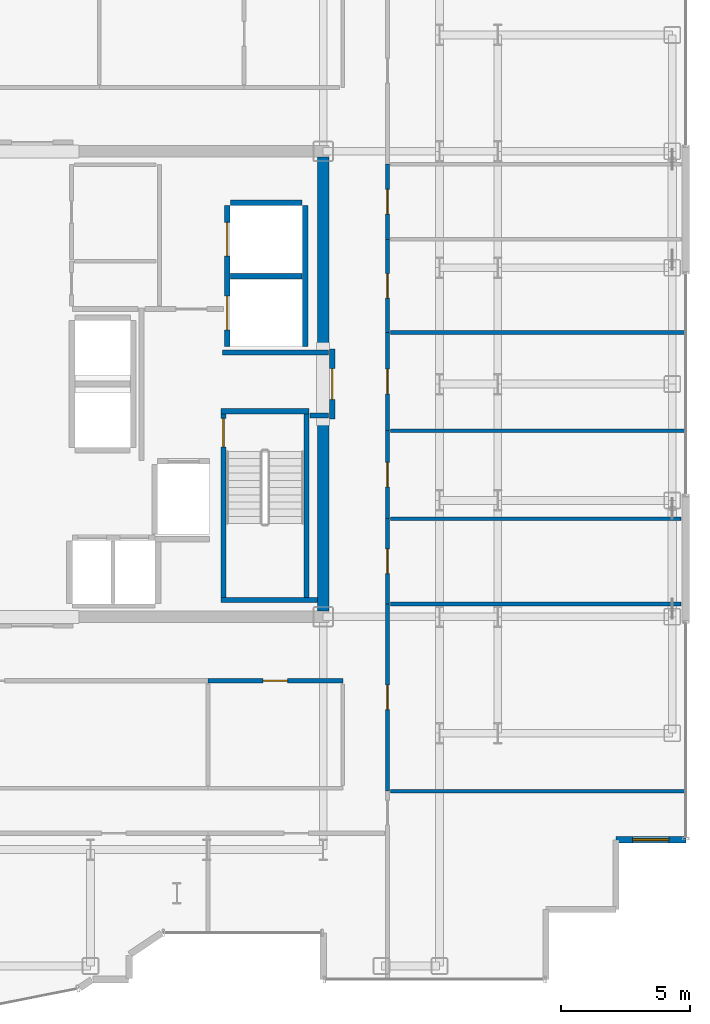
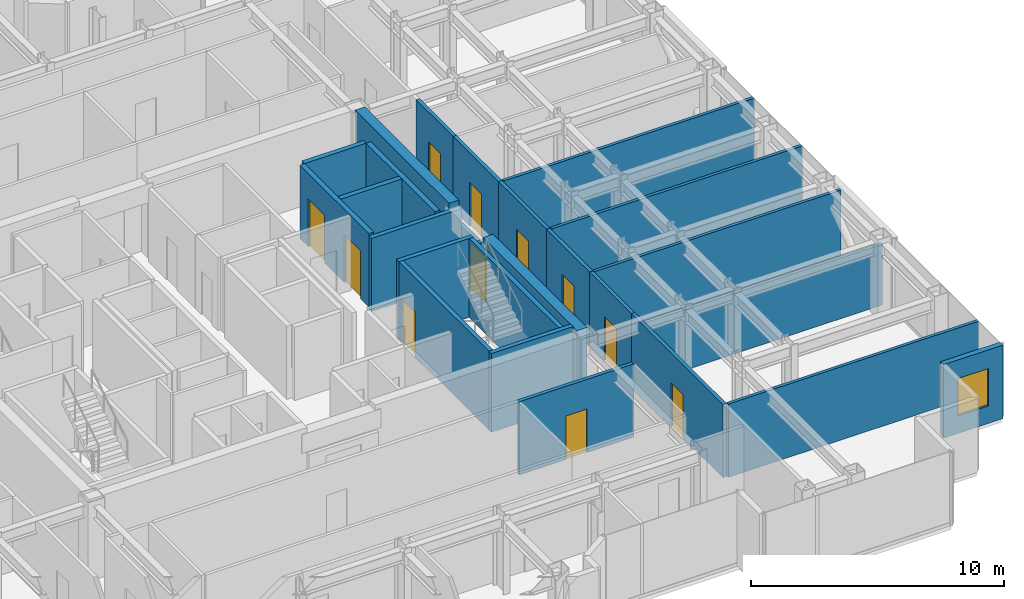
# One storey, part 18 of 21: 26 walls, 11 doors, 1 window, 12 openings.
"""IFC4 building model written with IfcOpenShell, lengths in metres."""

import ifcopenshell
import ifcopenshell.guid

model = None  # the IFC model being written
_history = None  # IfcOwnerHistory: only IFC2X3 demands one
_inside = {}  # id of a spatial element -> (the spatial element, [elements in it])
_under = {}  # id of a project, library or spatial element -> (it, [spatial elements below it])
_declared = {}  # id of a project -> (the project, [libraries it declares])
_typed = {}  # id of a type object -> (the type object, [elements of that type])
_made_of = {}  # id of a material, layer set ... -> (it, [elements and type objects made of it])


def new_model(schema):
    """Start an empty IFC model of exactly this schema.

    Asked for "IFC4X3", IfcOpenShell would pick the latest addendum, in which some entities
    have other attributes; the version numbers below select the first issue.
    IFC2X3 requires an IfcOwnerHistory on every rooted entity: one is made here for all.
    """
    global model, _history
    if schema == "IFC4X3":
        model = ifcopenshell.file(schema_version=(4, 3, 0, 0))
    else:
        model = ifcopenshell.file(schema=schema)
    _inside.clear()
    _under.clear()
    _declared.clear()
    _typed.clear()
    _made_of.clear()
    _history = None
    if model.schema == "IFC2X3":
        org = make("IfcOrganization", Name="unknown")
        user = make(
            "IfcPersonAndOrganization",
            ThePerson=make("IfcPerson", FamilyName="unknown"),
            TheOrganization=org,
        )
        app = make(
            "IfcApplication",
            ApplicationDeveloper=org,
            Version="unknown",
            ApplicationFullName="unknown",
            ApplicationIdentifier="unknown",
        )
        _history = make(
            "IfcOwnerHistory",
            OwningUser=user,
            OwningApplication=app,
            ChangeAction="ADDED",
            CreationDate=0,
        )
    return model


def make(cls, **values):
    """One entity of the class cls with the attributes given. An attribute that is None is left unset."""
    return model.create_entity(
        cls, **{name: value for name, value in values.items() if value is not None}
    )


def rooted(cls, **values):
    """An entity with a GlobalId (a new one), such as an element, a storey or a relation."""
    return make(cls, GlobalId=ifcopenshell.guid.new(), OwnerHistory=_history, **values)


def si_unit(unit_type, name, prefix=None):
    """IfcSIUnit, for example si_unit("LENGTHUNIT", "METRE", prefix="MILLI")."""
    return make("IfcSIUnit", UnitType=unit_type, Prefix=prefix, Name=name)


def assignment(units):
    """IfcUnitAssignment: the units of a project."""
    return None if units is None else make("IfcUnitAssignment", Units=units)


def point(xyz):
    """IfcCartesianPoint."""
    return None if xyz is None else make("IfcCartesianPoint", Coordinates=xyz)


def direction(xyz):
    """IfcDirection."""
    return None if xyz is None else make("IfcDirection", DirectionRatios=xyz)


def frame(location, z_axis=None, x_axis=None):
    """IfcAxis2Placement3D, a coordinate frame: its origin and axes. An axis left out is left unset."""
    return make(
        "IfcAxis2Placement3D",
        Location=point(location),
        Axis=direction(z_axis),
        RefDirection=direction(x_axis),
    )


def frame_2d(location, x_axis=None):
    """IfcAxis2Placement2D, a coordinate frame in the plane: its origin and x axis."""
    return make(
        "IfcAxis2Placement2D", Location=point(location), RefDirection=direction(x_axis)
    )


def origin():
    """The frame at (0, 0, 0) with its axes left unset."""
    return frame((0.0, 0.0, 0.0))


def place(relative_to, where):
    """IfcLocalPlacement: puts the frame where relative to a parent placement (None: the world)."""
    return make(
        "IfcLocalPlacement", PlacementRelTo=relative_to, RelativePlacement=where
    )


def context(
    kind, dimensions, precision=None, world=None, true_north=None, identifier=None
):
    """IfcGeometricRepresentationContext, for example the 3D "Model" context."""
    return make(
        "IfcGeometricRepresentationContext",
        ContextIdentifier=identifier,
        ContextType=kind,
        CoordinateSpaceDimension=dimensions,
        Precision=precision,
        WorldCoordinateSystem=world,
        TrueNorth=true_north,
    )


def subcontext(parent, identifier, kind, view, scale=None):
    """IfcGeometricRepresentationSubContext, for example "Body" below "Model"."""
    return make(
        "IfcGeometricRepresentationSubContext",
        ContextIdentifier=identifier,
        ContextType=kind,
        ParentContext=parent,
        TargetScale=scale,
        TargetView=view,
    )


def project(units=None, contexts=None):
    """IfcProject with its units and contexts."""
    return rooted(
        "IfcProject",
        Name="project",
        RepresentationContexts=contexts,
        UnitsInContext=assignment(units),
    )


def spatial(cls, under=None, at=None, **own):
    """A site, building, storey or space (cls), placed at a placement, below another one or the project."""
    s = rooted(cls, ObjectPlacement=at, **own)
    if under is not None:
        _under.setdefault(under.id(), (under, []))[1].append(s)
    return s


def profile(cls, at=None, kind="AREA", **sizes):
    """A parametric profile (cls). Its sizes go by their IFC names, for example OverallWidth=200.0."""
    return make(cls, ProfileType=kind, Position=at, **sizes)


def rectangle(**sizes):
    """IfcRectangleProfileDef."""
    return profile("IfcRectangleProfileDef", **sizes)


def extrude(swept, where, along, depth):
    """IfcExtrudedAreaSolid: the profile swept, set in the frame where, extruded along a direction by depth."""
    return make(
        "IfcExtrudedAreaSolid",
        SweptArea=swept,
        Position=where,
        ExtrudedDirection=direction(along),
        Depth=depth,
    )


def shape(context_of_items, identifier, shape_type, items):
    """IfcShapeRepresentation: the items that make up one representation, for example the "Body"."""
    return make(
        "IfcShapeRepresentation",
        ContextOfItems=context_of_items,
        RepresentationIdentifier=identifier,
        RepresentationType=shape_type,
        Items=items,
    )


def source(mapping_origin, context_of_items, identifier, shape_type, items):
    """IfcRepresentationMap: a shape defined once, which mapped items show again and again."""
    return make(
        "IfcRepresentationMap",
        MappingOrigin=mapping_origin,
        MappedRepresentation=shape(context_of_items, identifier, shape_type, items),
    )


def transform(
    local_origin,
    x_axis=None,
    y_axis=None,
    z_axis=None,
    scale=None,
    scale2=None,
    scale3=None,
    uniform=True,
):
    """IfcCartesianTransformationOperator3D, or its non-uniform kind. x_axis, y_axis, z_axis: its Axis1, 2, 3."""
    if uniform:
        return make(
            "IfcCartesianTransformationOperator3D",
            Axis1=direction(x_axis),
            Axis2=direction(y_axis),
            LocalOrigin=point(local_origin),
            Scale=scale,
            Axis3=direction(z_axis),
        )
    return make(
        "IfcCartesianTransformationOperator3DnonUniform",
        Axis1=direction(x_axis),
        Axis2=direction(y_axis),
        LocalOrigin=point(local_origin),
        Scale=scale,
        Axis3=direction(z_axis),
        Scale2=scale2,
        Scale3=scale3,
    )


def mapped(mapping_source, mapping_target):
    """IfcMappedItem: shows the shape of a source again, moved by a transform."""
    return make(
        "IfcMappedItem", MappingSource=mapping_source, MappingTarget=mapping_target
    )


def material(Name=None, Category=None):
    """IfcMaterial."""
    return make("IfcMaterial", Name=Name, Category=Category)


def layer(
    of_material, thickness, ventilated=None, Name=None, Category=None, Priority=None
):
    """IfcMaterialLayer: one layer of a wall or slab, of a material (None: an air gap)."""
    return make(
        "IfcMaterialLayer",
        Material=of_material,
        LayerThickness=thickness,
        IsVentilated=ventilated,
        Name=Name,
        Category=Category,
        Priority=Priority,
    )


def layer_set(layers, Name=None):
    """IfcMaterialLayerSet."""
    return make("IfcMaterialLayerSet", MaterialLayers=layers, LayerSetName=Name)


def made_of(thing, what):
    """Note that an element or type object is made of a material, layer set ...; save() writes the relation."""
    if what is not None:
        _made_of.setdefault(what.id(), (what, []))[1].append(thing)
    return thing


def type_object(cls, material=None, **own):
    """A type object (cls), such as IfcWallType, which elements share."""
    return made_of(rooted(cls, **own), material)


def element(
    cls,
    number,
    at=None,
    inside=None,
    cuts=None,
    type_object=None,
    material=None,
    context=None,
    identifier="Body",
    shape_type=None,
    held_by="IfcProductDefinitionShape",
    body=None,
    shapes=None,
    **own,
):
    """One element of the class cls, such as IfcWall. Its Tag is "e" and its number.

    at: its placement. inside: the storey or other place that contains it. cuts: it is an
    opening in that element (IfcRelVoidsElement). A single representation is given by context,
    identifier, shape_type and body (its items); several are given by shapes. held_by: the class
    of the entity that holds the representations. save() writes the other relations.
    """
    e = rooted(cls, Tag="e%d" % number, ObjectPlacement=at, **own)
    if body is not None:
        shapes = [shape(context, identifier, shape_type, body)]
    if shapes is not None:
        e.Representation = make(held_by, Representations=shapes)
    if inside is not None:
        _inside.setdefault(inside.id(), (inside, []))[1].append(e)
    if cuts is not None:
        rooted(
            "IfcRelVoidsElement", RelatingBuildingElement=cuts, RelatedOpeningElement=e
        )
    if type_object is not None:
        _typed.setdefault(type_object.id(), (type_object, []))[1].append(e)
    return made_of(e, material)


def fill(opening, filler):
    """IfcRelFillsElement: the door or window that sits in an opening."""
    return rooted(
        "IfcRelFillsElement",
        RelatingOpeningElement=opening,
        RelatedBuildingElement=filler,
    )


def aggregate(whole, parts):
    """IfcRelAggregates: a whole, such as a stair, and the parts it consists of."""
    return rooted("IfcRelAggregates", RelatingObject=whole, RelatedObjects=parts)


def save(model, path):
    """Write the relations noted so far, then the file.

    IfcRelAggregates (storeys below a building ...), IfcRelContainedInSpatialStructure (elements
    in a storey), IfcRelDefinesByType, IfcRelAssociatesMaterial and IfcRelDeclares: one each for
    every whole, place, type object, material and project.
    """
    for whole, parts in _under.values():
        aggregate(whole, parts)
    for where, things in _inside.values():
        rooted(
            "IfcRelContainedInSpatialStructure",
            RelatedElements=things,
            RelatingStructure=where,
        )
    for kind, things in _typed.values():
        rooted("IfcRelDefinesByType", RelatedObjects=things, RelatingType=kind)
    for what, things in _made_of.values():
        rooted("IfcRelAssociatesMaterial", RelatedObjects=things, RelatingMaterial=what)
    for by, libraries in _declared.values():
        rooted("IfcRelDeclares", RelatingContext=by, RelatedDefinitions=libraries)
    model.write(path)


model = new_model("IFC4")

# Units and contexts
model_context = context("Model", 3, precision=1e-05, world=origin(), true_north=direction((0.0, 1.0)))
body_context = subcontext(model_context, "Body", "Model", "MODEL_VIEW")
ifc_project = project(units=[si_unit("LENGTHUNIT", "METRE"), si_unit("AREAUNIT", "SQUARE_METRE"), si_unit("VOLUMEUNIT", "CUBIC_METRE"), si_unit("PLANEANGLEUNIT", "RADIAN"), si_unit("MASSUNIT", "GRAM", prefix="KILO")], contexts=[model_context])

# Site, building, storey
site_placement = place(None, origin())
site = spatial("IfcSite", under=ifc_project, at=site_placement, CompositionType="ELEMENT")
building_placement = place(site_placement, origin())
building = spatial("IfcBuilding", under=site, at=building_placement, Name="Nefas-Gora Pilgrimage Tower", CompositionType="ELEMENT")
storey_placement = place(building_placement, frame((0.0, 0.0, 252.199951171875)))
storey = spatial("IfcBuildingStorey", under=building, at=storey_placement, Name="L63", CompositionType="ELEMENT", Elevation=252.199951171875)

# Walls
ifc_material_1 = material(Name="Concrete C50/60", Category="concrete")
ifc_layer_1 = layer(ifc_material_1, 0.449951171875)
ifc_layer_set_1 = layer_set([ifc_layer_1], Name="Concrete C50/60")
wall_type_1 = type_object("IfcWallType", Name="SW-CORE-450", PredefinedType="SHEAR", material=ifc_layer_set_1)
shared_shape_1 = source(origin(), body_context, "Body", "SweptSolid", [
    extrude(rectangle(XDim=7.4248046875, YDim=0.449951171875, at=frame_2d((3.71240234375, 0.0))), origin(), (0.0, 0.0, 1.0), 3.800048828125),
])
for number, where, z_axis, x_axis, name in (
    (1, (11.25, -8.77490234375, 0.0), (0.0, 0.0, 1.0), (0.0, 1.0, 0.0), "L63 Core Shear Wall E-South"),
    (2, (11.25, 1.35009765625, 0.0), (0.0, 0.0, 1.0), (0.0, 1.0, 0.0), "L63 Core Shear Wall E-North"),
):
    element("IfcWall", number, at=place(storey_placement, frame(where, z_axis=z_axis, x_axis=x_axis)), inside=storey, type_object=wall_type_1, Name=name, PredefinedType="SHEAR", context=body_context, shape_type="MappedRepresentation", body=[
        mapped(shared_shape_1, transform((0.0, 0.0, 0.0), x_axis=(1.0, 0.0, 0.0), y_axis=(0.0, 1.0, 0.0), z_axis=(0.0, 0.0, 1.0), scale=1.0)),
    ])

# Wall, opening, window
ifc_material_2 = material(Name="Precast concrete C45/55", Category="concrete")
ifc_layer_2 = layer(ifc_material_2, 0.239990234375)
ifc_layer_set_2 = layer_set([ifc_layer_2], Name="Precast concrete C45/55")
wall_type_2 = type_object("IfcWallType", Name="EW-SERR-240", PredefinedType="SHEAR", material=ifc_layer_set_2)
shared_shape_2 = source(origin(), body_context, "Body", "SweptSolid", [
    extrude(rectangle(XDim=2.699951171875, YDim=0.239990234375, at=frame_2d((1.35009765625, 0.0))), origin(), (0.0, 0.0, 1.0), 3.550048828125),
])
wall_1_placement = place(storey_placement, frame((22.570068359375, -17.6201171875, 0.0), z_axis=(0.0, 0.0, 1.0), x_axis=(1.0, 0.0, 0.0)))
wall_1 = element("IfcWall", 3, at=wall_1_placement, inside=storey, type_object=wall_type_2, Name="L63 Serrated Corner Shear Pier Wall 9", PredefinedType="SHEAR", context=body_context, shape_type="MappedRepresentation", body=[
    mapped(shared_shape_2, transform((0.0, 0.0, 0.0), x_axis=(1.0, 0.0, 0.0), y_axis=(0.0, 1.0, 0.0), z_axis=(0.0, 0.0, 1.0), scale=1.0)),
])
opening_1_placement = place(wall_1_placement, frame((0.64990234375, 0.0, 0.85009765625)))
opening_1 = element("IfcOpeningElement", 4, at=opening_1_placement, cuts=wall_1, Name="Opening W-V2", PredefinedType="OPENING", context=body_context, shape_type="SweptSolid", body=[
    extrude(rectangle(XDim=1.39990234375, YDim=1.800048828125, at=frame_2d((0.699951171875, 0.89990234375))), frame((0.0, 0.1298828125, 0.0), z_axis=(0.0, -1.0, 0.0), x_axis=(1.0, 0.0, 0.0)), (0.0, 0.0, 1.0), 0.260009765625),
])
ifc_material_3 = material(Name="Dark ceramic-fritted operable aluminium-glass window", Category="aluminium")
window_type = type_object("IfcWindowType", Name="WIN-VENT-1400x1800", PartitioningType="SINGLE_PANEL", PredefinedType="WINDOW", material=ifc_material_3)
shared_shape_3 = source(origin(), body_context, "Body", "SweptSolid", [
    extrude(rectangle(XDim=1.39990234375, YDim=1.800048828125, at=frame_2d((0.699951171875, 0.89990234375))), frame((0.0, 0.030029296875, 0.0), z_axis=(0.0, -1.0, 0.0), x_axis=(1.0, 0.0, 0.0)), (0.0, 0.0, 1.0), 0.06005859375),
])
window_placement = place(opening_1_placement, origin())
window = element("IfcWindow", 5, at=window_placement, inside=storey, type_object=window_type, Name="L63 Operable Parallel-Outswing Window 9", OverallHeight=1.800048828125, OverallWidth=1.39990234375, PartitioningType="SINGLE_PANEL", PredefinedType="WINDOW", context=body_context, shape_type="MappedRepresentation", body=[
    mapped(shared_shape_3, transform((0.0, 0.0, 0.0), x_axis=(1.0, 0.0, 0.0), y_axis=(0.0, 1.0, 0.0), z_axis=(0.0, 0.0, 1.0), scale=1.0)),
])
fill(opening_1, window)

# Wall
ifc_material_4 = material(Name="Concrete C45/55", Category="concrete")
ifc_layer_3 = layer(ifc_material_4, 0.199951171875)
ifc_layer_set_3 = layer_set([ifc_layer_3], Name="Concrete C45/55")
wall_type_3 = type_object("IfcWallType", Name="IW-STAIR-200", PredefinedType="SOLIDWALL", material=ifc_layer_set_3)
shared_shape_4 = source(origin(), body_context, "Body", "SweptSolid", [
    extrude(rectangle(XDim=3.39990234375, YDim=0.199951171875, at=frame_2d((1.699951171875, 0.0))), origin(), (0.0, 0.0, 1.0), 3.800048828125),
])
wall_2_placement = place(storey_placement, frame((7.300048828125, -1.050048828125, 0.0), z_axis=(0.0, 0.0, 1.0), x_axis=(1.0, 0.0, 0.0)))
element("IfcWall", 6, at=wall_2_placement, inside=storey, type_object=wall_type_3, Name="L63 Stairwell Shear Wall ST-02-near", PredefinedType="SOLIDWALL", context=body_context, shape_type="MappedRepresentation", body=[
    mapped(shared_shape_4, transform((0.0, 0.0, 0.0), x_axis=(1.0, 0.0, 0.0), y_axis=(0.0, 1.0, 0.0), z_axis=(0.0, 0.0, 1.0), scale=1.0)),
])

# Wall, opening, door
shared_shape_5 = source(origin(), body_context, "Body", "SweptSolid", [
    extrude(rectangle(XDim=7.10009765625, YDim=0.199951171875, at=frame_2d((3.550048828125, 0.0))), origin(), (0.0, 0.0, 1.0), 3.800048828125),
])
wall_3_placement = place(storey_placement, frame((7.39990234375, -1.14990234375, 0.0), z_axis=(0.0, 0.0, 1.0), x_axis=(0.0, -1.0, 0.0)))
wall_3 = element("IfcWall", 7, at=wall_3_placement, inside=storey, type_object=wall_type_3, Name="L63 Stairwell Shear Wall ST-02-left", PredefinedType="SOLIDWALL", context=body_context, shape_type="MappedRepresentation", body=[
    mapped(shared_shape_5, transform((0.0, 0.0, 0.0), x_axis=(1.0, 0.0, 0.0), y_axis=(0.0, 1.0, 0.0), z_axis=(0.0, 0.0, 1.0), scale=1.0)),
])
opening_2_placement = place(wall_3_placement, frame((0.179931640625, 0.0, 0.0)))
opening_2 = element("IfcOpeningElement", 8, at=opening_2_placement, cuts=wall_3, Name="Opening ID-ST1", PredefinedType="OPENING", context=body_context, shape_type="SweptSolid", body=[
    extrude(rectangle(XDim=1.10009765625, YDim=2.14990234375, at=frame_2d((0.550048828125, 1.074951171875))), frame((0.0, 0.10986328125, 0.0), z_axis=(0.0, -1.0, 0.0), x_axis=(1.0, 0.0, 0.0)), (0.0, 0.0, 1.0), 0.219970703125),
])
ifc_material_5 = material(Name="Painted galvanised steel fire stair door", Category="steel")
door_type_1 = type_object("IfcDoorType", Name="DR-INT-STAIR-1100", OperationType="NOTDEFINED", PredefinedType="DOOR", material=ifc_material_5)
shared_shape_6 = source(origin(), body_context, "Body", "SweptSolid", [
    extrude(rectangle(XDim=1.10009765625, YDim=2.14990234375, at=frame_2d((0.550048828125, 1.074951171875))), frame((0.0, 0.02490234375, 0.0), z_axis=(0.0, -1.0, 0.0), x_axis=(1.0, 0.0, 0.0)), (0.0, 0.0, 1.0), 0.050048828125),
])
door_1_placement = place(opening_2_placement, origin())
door_1 = element("IfcDoor", 9, at=door_1_placement, inside=storey, type_object=door_type_1, Name="L63 Protected Exit Stair Door ST-02", OperationType="SINGLE_SWING_RIGHT", OverallHeight=2.14990234375, OverallWidth=1.10009765625, PredefinedType="DOOR", context=body_context, shape_type="MappedRepresentation", body=[
    mapped(shared_shape_6, transform((0.0, 0.0, 0.0), x_axis=(1.0, 0.0, 0.0), y_axis=(0.0, 1.0, 0.0), z_axis=(0.0, 0.0, 1.0), scale=1.0)),
])
fill(opening_2, door_1)

# Walls
wall_4_placement = place(storey_placement, frame((10.60009765625, -1.14990234375, 0.0), z_axis=(0.0, 0.0, 1.0), x_axis=(0.0, -1.0, 0.0)))
element("IfcWall", 10, at=wall_4_placement, inside=storey, type_object=wall_type_3, Name="L63 Stairwell Shear Wall ST-02-right", PredefinedType="SOLIDWALL", context=body_context, shape_type="MappedRepresentation", body=[
    mapped(shared_shape_5, transform((0.0, 0.0, 0.0), x_axis=(1.0, 0.0, 0.0), y_axis=(0.0, 1.0, 0.0), z_axis=(0.0, 0.0, 1.0), scale=1.0)),
])
shared_shape_7 = source(origin(), body_context, "Body", "SweptSolid", [
    extrude(rectangle(XDim=3.72998046875, YDim=0.199951171875, at=frame_2d((1.864990234375, 0.0))), origin(), (0.0, 0.0, 1.0), 3.800048828125),
])
wall_5_placement = place(storey_placement, frame((7.300048828125, -8.35009765625, 0.0), z_axis=(0.0, 0.0, 1.0), x_axis=(1.0, 0.0, 0.0)))
element("IfcWall", 11, at=wall_5_placement, inside=storey, type_object=wall_type_3, Name="L63 Stairwell Shear Wall ST-02-far", PredefinedType="SOLIDWALL", context=body_context, shape_type="MappedRepresentation", body=[
    mapped(shared_shape_7, transform((0.0, 0.0, 0.0), x_axis=(1.0, 0.0, 0.0), y_axis=(0.0, 1.0, 0.0), z_axis=(0.0, 0.0, 1.0), scale=1.0)),
])

# Wall, openings, doors
ifc_material_6 = material(Name="Concrete C40/50", Category="concrete")
ifc_layer_4 = layer(ifc_material_6, 0.219970703125)
ifc_layer_set_4 = layer_set([ifc_layer_4], Name="Concrete C40/50")
wall_type_4 = type_object("IfcWallType", Name="IW-SHAFT-220", PredefinedType="SOLIDWALL", material=ifc_layer_set_4)
shared_shape_8 = source(origin(), body_context, "Body", "SweptSolid", [
    extrude(rectangle(XDim=5.449951171875, YDim=0.219970703125, at=frame_2d((2.72509765625, 0.0))), origin(), (0.0, 0.0, 1.0), 3.53515625),
])
wall_6_placement = place(storey_placement, frame((7.5400390625, 6.89990234375, 0.0), z_axis=(0.0, 0.0, 1.0), x_axis=(0.0, -1.0, 0.0)))
wall_6 = element("IfcWall", 12, at=wall_6_placement, inside=storey, type_object=wall_type_4, Name="L63 Hoistway Wall SL-01-02-W", PredefinedType="SOLIDWALL", context=body_context, shape_type="MappedRepresentation", body=[
    mapped(shared_shape_8, transform((0.0, 0.0, 0.0), x_axis=(1.0, 0.0, 0.0), y_axis=(0.0, 1.0, 0.0), z_axis=(0.0, 0.0, 1.0), scale=1.0)),
])
opening_3_placement = place(wall_6_placement, frame((3.5, 0.0, 0.0)))
opening_3 = element("IfcOpeningElement", 13, at=opening_3_placement, cuts=wall_6, Name="Opening LD-SV", PredefinedType="OPENING", context=body_context, shape_type="SweptSolid", body=[
    extrude(rectangle(XDim=1.300048828125, YDim=2.300048828125, at=frame_2d((0.64990234375, 1.14990234375))), frame((0.0, 0.119873046875, 0.0), z_axis=(0.0, -1.0, 0.0), x_axis=(1.0, 0.0, 0.0)), (0.0, 0.0, 1.0), 0.239990234375),
])
opening_4_placement = place(wall_6_placement, frame((0.64990234375, 0.0, 0.0)))
opening_4 = element("IfcOpeningElement", 14, at=opening_4_placement, cuts=wall_6, Name="Opening LD-SV", PredefinedType="OPENING", context=body_context, shape_type="SweptSolid", body=[
    extrude(rectangle(XDim=1.300048828125, YDim=2.300048828125, at=frame_2d((0.64990234375, 1.14990234375))), frame((0.0, 0.119873046875, 0.0), z_axis=(0.0, -1.0, 0.0), x_axis=(1.0, 0.0, 0.0)), (0.0, 0.0, 1.0), 0.239990234375),
])
ifc_material_7 = material(Name="Heavy goods sliding lift landing door")
door_type_2 = type_object("IfcDoorType", Name="DR-LIFT-SERV-1300", OperationType="SLIDING_TO_RIGHT", PredefinedType="DOOR", material=ifc_material_7)
shared_shape_9 = source(origin(), body_context, "Body", "SweptSolid", [
    extrude(rectangle(XDim=1.300048828125, YDim=2.300048828125, at=frame_2d((0.64990234375, 1.14990234375))), frame((0.0, 0.02490234375, 0.0), z_axis=(0.0, -1.0, 0.0), x_axis=(1.0, 0.0, 0.0)), (0.0, 0.0, 1.0), 0.050048828125),
])
door_2_placement = place(opening_3_placement, origin())
door_2 = element("IfcDoor", 15, at=door_2_placement, inside=storey, type_object=door_type_2, Name="L63 Sliding Lift Landing Door SL-01", OperationType="SLIDING_TO_RIGHT", OverallHeight=2.300048828125, OverallWidth=1.300048828125, PredefinedType="DOOR", context=body_context, shape_type="MappedRepresentation", body=[
    mapped(shared_shape_9, transform((0.0, 0.0, 0.0), x_axis=(1.0, 0.0, 0.0), y_axis=(0.0, 1.0, 0.0), z_axis=(0.0, 0.0, 1.0), scale=1.0)),
])
fill(opening_3, door_2)
door_3_placement = place(opening_4_placement, origin())
door_3 = element("IfcDoor", 16, at=door_3_placement, inside=storey, type_object=door_type_2, Name="L63 Sliding Lift Landing Door SL-02", OperationType="SLIDING_TO_RIGHT", OverallHeight=2.300048828125, OverallWidth=1.300048828125, PredefinedType="DOOR", context=body_context, shape_type="MappedRepresentation", body=[
    mapped(shared_shape_9, transform((0.0, 0.0, 0.0), x_axis=(1.0, 0.0, 0.0), y_axis=(0.0, 1.0, 0.0), z_axis=(0.0, 0.0, 1.0), scale=1.0)),
])
fill(opening_4, door_3)

# Walls
wall_7_placement = place(storey_placement, frame((10.56005859375, 1.449951171875, 0.0), z_axis=(0.0, 0.0, 1.0), x_axis=(0.0, 1.0, 0.0)))
element("IfcWall", 17, at=wall_7_placement, inside=storey, type_object=wall_type_4, Name="L63 Hoistway Wall SL-01-02-E", PredefinedType="SOLIDWALL", context=body_context, shape_type="MappedRepresentation", body=[
    mapped(shared_shape_8, transform((0.0, 0.0, 0.0), x_axis=(1.0, 0.0, 0.0), y_axis=(0.0, 1.0, 0.0), z_axis=(0.0, 0.0, 1.0), scale=1.0)),
])
shared_shape_10 = source(origin(), body_context, "Body", "SweptSolid", [
    extrude(rectangle(XDim=2.780029296875, YDim=0.219970703125, at=frame_2d((1.39013671875, 0.0))), origin(), (0.0, 0.0, 1.0), 3.53515625),
])
for number, where, z_axis, x_axis, name in (
    (18, (7.659912109375, 4.175048828125, 0.0), (0.0, 0.0, 1.0), (1.0, 0.0, 0.0), "L63 Hoistway Wall SL-01-02-DIV"),
    (19, (10.43994140625, 7.010009765625, 0.0), (0.0, 0.0, 1.0), (-1.0, 0.0, 0.0), "L63 Hoistway Wall SL-02-N"),
):
    element("IfcWall", number, at=place(storey_placement, frame(where, z_axis=z_axis, x_axis=x_axis)), inside=storey, type_object=wall_type_4, Name=name, PredefinedType="SOLIDWALL", context=body_context, shape_type="MappedRepresentation", body=[
        mapped(shared_shape_10, transform((0.0, 0.0, 0.0), x_axis=(1.0, 0.0, 0.0), y_axis=(0.0, 1.0, 0.0), z_axis=(0.0, 0.0, 1.0), scale=1.0)),
    ])
ifc_material_8 = material(Name="Gypsum fire-rated shaftwall")
ifc_layer_5 = layer(ifc_material_8, 0.199951171875)
ifc_layer_set_5 = layer_set([ifc_layer_5], Name="Gypsum fire-rated shaftwall")
wall_type_5 = type_object("IfcWallType", Name="IW-FFLOB-200", PredefinedType="PARTITIONING", material=ifc_layer_set_5)
shared_shape_11 = source(origin(), body_context, "Body", "SweptSolid", [
    extrude(rectangle(XDim=0.719970703125, YDim=0.199951171875, at=frame_2d((0.35986328125, 0.0))), origin(), (0.0, 0.0, 1.0), 3.53515625),
])
wall_8_placement = place(storey_placement, frame((10.739990234375, -1.219970703125, 0.0), z_axis=(0.0, 0.0, 1.0), x_axis=(1.0, 0.0, 0.0)))
element("IfcWall", 20, at=wall_8_placement, inside=storey, type_object=wall_type_5, Name="L63 FF Lobby East Throat S Wall 14", PredefinedType="PARTITIONING", context=body_context, shape_type="MappedRepresentation", body=[
    mapped(shared_shape_11, transform((0.0, 0.0, 0.0), x_axis=(1.0, 0.0, 0.0), y_axis=(0.0, 1.0, 0.0), z_axis=(0.0, 0.0, 1.0), scale=1.0)),
])
shared_shape_12 = source(origin(), body_context, "Body", "SweptSolid", [
    extrude(rectangle(XDim=4.10986328125, YDim=0.199951171875, at=frame_2d((2.054931640625, 0.0))), origin(), (0.0, 0.0, 1.0), 3.53515625),
])
wall_9_placement = place(storey_placement, frame((7.35009765625, 1.219970703125, 0.0), z_axis=(0.0, 0.0, 1.0), x_axis=(1.0, 0.0, 0.0)))
element("IfcWall", 21, at=wall_9_placement, inside=storey, type_object=wall_type_5, Name="L63 FF Lobby East Throat N Wall 13", PredefinedType="PARTITIONING", context=body_context, shape_type="MappedRepresentation", body=[
    mapped(shared_shape_12, transform((0.0, 0.0, 0.0), x_axis=(1.0, 0.0, 0.0), y_axis=(0.0, 1.0, 0.0), z_axis=(0.0, 0.0, 1.0), scale=1.0)),
])

# Wall, opening, door
ifc_material_9 = material(Name="Gypsum acoustic stud partition")
ifc_layer_6 = layer(ifc_material_9, 0.159912109375)
ifc_layer_set_6 = layer_set([ifc_layer_6], Name="Gypsum acoustic stud partition")
wall_type_6 = type_object("IfcWallType", Name="IW-CORR-160", PredefinedType="PARTITIONING", material=ifc_layer_set_6)
shared_shape_13 = source(origin(), body_context, "Body", "SweptSolid", [
    extrude(rectangle(XDim=3.309814453125, YDim=0.159912109375, at=frame_2d((1.65478515625, 0.0))), origin(), (0.0, 0.0, 1.0), 3.53515625),
])
wall_10_placement = place(storey_placement, frame((13.739990234375, -8.5048828125, 0.0), z_axis=(0.0, 0.0, 1.0), x_axis=(0.0, 1.0, 0.0)))
wall_10 = element("IfcWall", 22, at=wall_10_placement, inside=storey, type_object=wall_type_6, Name="L63 Pastoral Chaplains Counselling Office Partition Wall 45", PredefinedType="PARTITIONING", context=body_context, shape_type="MappedRepresentation", body=[
    mapped(shared_shape_13, transform((0.0, 0.0, 0.0), x_axis=(1.0, 0.0, 0.0), y_axis=(0.0, 1.0, 0.0), z_axis=(0.0, 0.0, 1.0), scale=1.0)),
])
opening_5_placement = place(wall_10_placement, frame((1.179931640625, 0.0, 0.0)))
opening_5 = element("IfcOpeningElement", 23, at=opening_5_placement, cuts=wall_10, Name="Opening ID-GR1", PredefinedType="OPENING", context=body_context, shape_type="SweptSolid", body=[
    extrude(rectangle(XDim=0.949951171875, YDim=2.10009765625, at=frame_2d((0.47509765625, 1.050048828125))), frame((0.0, 0.08984375, 0.0), z_axis=(0.0, -1.0, 0.0), x_axis=(1.0, 0.0, 0.0)), (0.0, 0.0, 1.0), 0.179931640625),
])
ifc_material_10 = material(Name="Solid core oak fire-rated guest entrance door")
door_type_3 = type_object("IfcDoorType", Name="DR-INT-GUEST-950", OperationType="NOTDEFINED", PredefinedType="DOOR", material=ifc_material_10)
shared_shape_14 = source(origin(), body_context, "Body", "SweptSolid", [
    extrude(rectangle(XDim=0.949951171875, YDim=2.10009765625, at=frame_2d((0.47509765625, 1.050048828125))), frame((0.0, 0.02490234375, 0.0), z_axis=(0.0, -1.0, 0.0), x_axis=(1.0, 0.0, 0.0)), (0.0, 0.0, 1.0), 0.050048828125),
])
door_4_placement = place(opening_5_placement, origin())
door_4 = element("IfcDoor", 24, at=door_4_placement, inside=storey, type_object=door_type_3, Name="L63 Pastoral Chaplains Counselling Office Door 20", OperationType="SINGLE_SWING_RIGHT", OverallHeight=2.10009765625, OverallWidth=0.949951171875, PredefinedType="DOOR", context=body_context, shape_type="MappedRepresentation", body=[
    mapped(shared_shape_14, transform((0.0, 0.0, 0.0), x_axis=(1.0, 0.0, 0.0), y_axis=(0.0, 1.0, 0.0), z_axis=(0.0, 0.0, 1.0), scale=1.0)),
])
fill(opening_5, door_4)

shared_shape_15 = source(origin(), body_context, "Body", "SweptSolid", [
    extrude(rectangle(XDim=3.41015625, YDim=0.159912109375, at=frame_2d((1.705078125, 0.0))), origin(), (0.0, 0.0, 1.0), 3.53515625),
])
wall_11_placement = place(storey_placement, frame((13.739990234375, -5.205078125, 0.0), z_axis=(0.0, 0.0, 1.0), x_axis=(0.0, 1.0, 0.0)))
wall_11 = element("IfcWall", 25, at=wall_11_placement, inside=storey, type_object=wall_type_6, Name="L63 Pilgrim Fellowship Seminar Room Partition Wall 47", PredefinedType="PARTITIONING", context=body_context, shape_type="MappedRepresentation", body=[
    mapped(shared_shape_15, transform((0.0, 0.0, 0.0), x_axis=(1.0, 0.0, 0.0), y_axis=(0.0, 1.0, 0.0), z_axis=(0.0, 0.0, 1.0), scale=1.0)),
])
opening_6_placement = place(wall_11_placement, frame((1.22998046875, 0.0, 0.0)))
opening_6 = element("IfcOpeningElement", 26, at=opening_6_placement, cuts=wall_11, Name="Opening ID-GR1", PredefinedType="OPENING", context=body_context, shape_type="SweptSolid", body=[
    extrude(rectangle(XDim=0.949951171875, YDim=2.10009765625, at=frame_2d((0.47509765625, 1.050048828125))), frame((0.0, 0.08984375, 0.0), z_axis=(0.0, -1.0, 0.0), x_axis=(1.0, 0.0, 0.0)), (0.0, 0.0, 1.0), 0.179931640625),
])
door_5_placement = place(opening_6_placement, origin())
door_5 = element("IfcDoor", 27, at=door_5_placement, inside=storey, type_object=door_type_3, Name="L63 Pilgrim Fellowship Seminar Room Door 21", OperationType="SINGLE_SWING_LEFT", OverallHeight=2.10009765625, OverallWidth=0.949951171875, PredefinedType="DOOR", context=body_context, shape_type="MappedRepresentation", body=[
    mapped(shared_shape_14, transform((0.0, 0.0, 0.0), x_axis=(1.0, 0.0, 0.0), y_axis=(0.0, 1.0, 0.0), z_axis=(0.0, 0.0, 1.0), scale=1.0)),
])
fill(opening_6, door_5)

# Walls
ifc_material_11 = material(Name="Gypsum twin-stud partition")
ifc_layer_7 = layer(ifc_material_11, 0.139892578125)
ifc_layer_set_7 = layer_set([ifc_layer_7], Name="Gypsum twin-stud partition")
wall_type_7 = type_object("IfcWallType", Name="IW-UNIT-140", PredefinedType="PARTITIONING", material=ifc_layer_set_7)
shared_shape_16 = source(origin(), body_context, "Body", "SweptSolid", [
    extrude(rectangle(XDim=11.429931640625, YDim=0.139892578125, at=frame_2d((5.71484375, 0.0))), origin(), (0.0, 0.0, 1.0), 3.53515625),
])
for number, where, z_axis, x_axis, name in (
    (28, (13.860107421875, -15.74755859375, 0.0), (0.0, 0.0, 1.0), (1.0, 0.0, 0.0), "L63 Pilgrim Tea and Beverage Pantry Partition Wall 42"),
    (29, (13.860107421875, -1.804931640625, 0.0), (0.0, 0.0, 1.0), (1.0, 0.0, 0.0), "L63 Pilgrim Fellowship Seminar Room Partition Wall 48"),
    (30, (13.860107421875, 1.9951171875, 0.0), (0.0, 0.0, 1.0), (1.0, 0.0, 0.0), "L63 Pilgrim Contemplative Lounge Partition Wall 50"),
):
    element("IfcWall", number, at=place(storey_placement, frame(where, z_axis=z_axis, x_axis=x_axis)), inside=storey, type_object=wall_type_7, Name=name, PredefinedType="PARTITIONING", context=body_context, shape_type="MappedRepresentation", body=[
        mapped(shared_shape_16, transform((0.0, 0.0, 0.0), x_axis=(1.0, 0.0, 0.0), y_axis=(0.0, 1.0, 0.0), z_axis=(0.0, 0.0, 1.0), scale=1.0)),
    ])

# Wall, opening, door
shared_shape_17 = source(origin(), body_context, "Body", "SweptSolid", [
    extrude(rectangle(XDim=7.242431640625, YDim=0.159912109375, at=frame_2d((3.62109375, 0.0))), origin(), (0.0, 0.0, 1.0), 3.53515625),
])
wall_12_placement = place(storey_placement, frame((13.739990234375, -15.737548828125, 0.0), z_axis=(0.0, 0.0, 1.0), x_axis=(0.0, 1.0, 0.0)))
wall_12 = element("IfcWall", 31, at=wall_12_placement, inside=storey, type_object=wall_type_6, Name="L63 Pilgrim Tea and Beverage Pantry Partition Wall 43", PredefinedType="PARTITIONING", context=body_context, shape_type="MappedRepresentation", body=[
    mapped(shared_shape_17, transform((0.0, 0.0, 0.0), x_axis=(1.0, 0.0, 0.0), y_axis=(0.0, 1.0, 0.0), z_axis=(0.0, 0.0, 1.0), scale=1.0)),
])
opening_7_placement = place(wall_12_placement, frame((3.146240234375, 0.0, 0.0)))
opening_7 = element("IfcOpeningElement", 32, at=opening_7_placement, cuts=wall_12, Name="Opening ID-GR1", PredefinedType="OPENING", context=body_context, shape_type="SweptSolid", body=[
    extrude(rectangle(XDim=0.949951171875, YDim=2.10009765625, at=frame_2d((0.47509765625, 1.050048828125))), frame((0.0, 0.08984375, 0.0), z_axis=(0.0, -1.0, 0.0), x_axis=(1.0, 0.0, 0.0)), (0.0, 0.0, 1.0), 0.179931640625),
])
door_6_placement = place(opening_7_placement, origin())
door_6 = element("IfcDoor", 33, at=door_6_placement, inside=storey, type_object=door_type_3, Name="L63 Pilgrim Tea and Beverage Pantry Door 19", OperationType="SINGLE_SWING_LEFT", OverallHeight=2.10009765625, OverallWidth=0.949951171875, PredefinedType="DOOR", context=body_context, shape_type="MappedRepresentation", body=[
    mapped(shared_shape_14, transform((0.0, 0.0, 0.0), x_axis=(1.0, 0.0, 0.0), y_axis=(0.0, 1.0, 0.0), z_axis=(0.0, 0.0, 1.0), scale=1.0)),
])
fill(opening_7, door_6)

# Wall
shared_shape_18 = source(origin(), body_context, "Body", "SweptSolid", [
    extrude(rectangle(XDim=11.219970703125, YDim=0.139892578125, at=frame_2d((5.60986328125, 0.0))), origin(), (0.0, 0.0, 1.0), 3.53515625),
])
wall_13_placement = place(storey_placement, frame((13.860107421875, -5.205078125, 0.0), z_axis=(0.0, 0.0, 1.0), x_axis=(1.0, 0.0, 0.0)))
element("IfcWall", 34, at=wall_13_placement, inside=storey, type_object=wall_type_7, Name="L63 Pastoral Chaplains Counselling Office Partition Wall 46", PredefinedType="PARTITIONING", context=body_context, shape_type="MappedRepresentation", body=[
    mapped(shared_shape_18, transform((0.0, 0.0, 0.0), x_axis=(1.0, 0.0, 0.0), y_axis=(0.0, 1.0, 0.0), z_axis=(0.0, 0.0, 1.0), scale=1.0)),
])

# Wall, opening, door
shared_shape_19 = source(origin(), body_context, "Body", "SweptSolid", [
    extrude(rectangle(XDim=5.215087890625, YDim=0.159912109375, at=frame_2d((2.607421875, 0.0))), origin(), (0.0, 0.0, 1.0), 3.53515625),
])
wall_14_placement = place(storey_placement, frame((6.794921875, -11.469970703125, 0.0), z_axis=(0.0, 0.0, 1.0), x_axis=(1.0, 0.0, 0.0)))
wall_14 = element("IfcWall", 35, at=wall_14_placement, inside=storey, type_object=wall_type_6, Name="L63 Pilgrim Contemplative Lounge Partition Wall 93", PredefinedType="PARTITIONING", context=body_context, shape_type="MappedRepresentation", body=[
    mapped(shared_shape_19, transform((0.0, 0.0, 0.0), x_axis=(1.0, 0.0, 0.0), y_axis=(0.0, 1.0, 0.0), z_axis=(0.0, 0.0, 1.0), scale=1.0)),
])
opening_8_placement = place(wall_14_placement, frame((2.132568359375, 0.0, 0.0)))
opening_8 = element("IfcOpeningElement", 36, at=opening_8_placement, cuts=wall_14, Name="Opening ID-GR1", PredefinedType="OPENING", context=body_context, shape_type="SweptSolid", body=[
    extrude(rectangle(XDim=0.949951171875, YDim=2.10009765625, at=frame_2d((0.47509765625, 1.050048828125))), frame((0.0, 0.08984375, 0.0), z_axis=(0.0, -1.0, 0.0), x_axis=(1.0, 0.0, 0.0)), (0.0, 0.0, 1.0), 0.179931640625),
])
door_7_placement = place(opening_8_placement, origin())
door_7 = element("IfcDoor", 37, at=door_7_placement, inside=storey, type_object=door_type_3, Name="L63 Pilgrim Contemplative Lounge Door 42", OperationType="SINGLE_SWING_RIGHT", OverallHeight=2.10009765625, OverallWidth=0.949951171875, PredefinedType="DOOR", context=body_context, shape_type="MappedRepresentation", body=[
    mapped(shared_shape_14, transform((0.0, 0.0, 0.0), x_axis=(1.0, 0.0, 0.0), y_axis=(0.0, 1.0, 0.0), z_axis=(0.0, 0.0, 1.0), scale=1.0)),
])
fill(opening_8, door_7)

shared_shape_20 = source(origin(), body_context, "Body", "SweptSolid", [
    extrude(rectangle(XDim=2.7001953125, YDim=0.199951171875, at=frame_2d((1.35009765625, 0.0))), origin(), (0.0, 0.0, 1.0), 2.625),
])
wall_15_placement = place(storey_placement, frame((11.60009765625, -1.35009765625, 0.0), z_axis=(0.0, 0.0, 1.0), x_axis=(0.0, 1.0, 0.0)))
wall_15 = element("IfcWall", 38, at=wall_15_placement, inside=storey, type_object=wall_type_5, Name="L63 FF Lobby East Portal Wall 9", PredefinedType="PARTITIONING", context=body_context, shape_type="MappedRepresentation", body=[
    mapped(shared_shape_20, transform((0.0, 0.0, 0.0), x_axis=(1.0, 0.0, 0.0), y_axis=(0.0, 1.0, 0.0), z_axis=(0.0, 0.0, 1.0), scale=1.0)),
])
opening_9_placement = place(wall_15_placement, frame((0.75, 0.0, 0.0)))
opening_9 = element("IfcOpeningElement", 39, at=opening_9_placement, cuts=wall_15, Name="Opening ID-FF1", PredefinedType="OPENING", context=body_context, shape_type="SweptSolid", body=[
    extrude(rectangle(XDim=1.199951171875, YDim=2.14990234375, at=frame_2d((0.60009765625, 1.074951171875))), frame((0.0, 0.10986328125, 0.0), z_axis=(0.0, -1.0, 0.0), x_axis=(1.0, 0.0, 0.0)), (0.0, 0.0, 1.0), 0.219970703125),
])
ifc_material_12 = material(Name="Smoke-sealed steel firefighting lobby door", Category="steel")
door_type_4 = type_object("IfcDoorType", Name="DR-INT-FFLOB-1200", OperationType="NOTDEFINED", PredefinedType="DOOR", material=ifc_material_12)
shared_shape_21 = source(origin(), body_context, "Body", "SweptSolid", [
    extrude(rectangle(XDim=1.199951171875, YDim=2.14990234375, at=frame_2d((0.60009765625, 1.074951171875))), frame((0.0, 0.02490234375, 0.0), z_axis=(0.0, -1.0, 0.0), x_axis=(1.0, 0.0, 0.0)), (0.0, 0.0, 1.0), 0.050048828125),
])
door_8_placement = place(opening_9_placement, origin())
door_8 = element("IfcDoor", 40, at=door_8_placement, inside=storey, type_object=door_type_4, Name="L63 FF Lobby East Portal Door 3", OperationType="SINGLE_SWING_LEFT", OverallHeight=2.14990234375, OverallWidth=1.199951171875, PredefinedType="DOOR", context=body_context, shape_type="MappedRepresentation", body=[
    mapped(shared_shape_21, transform((0.0, 0.0, 0.0), x_axis=(1.0, 0.0, 0.0), y_axis=(0.0, 1.0, 0.0), z_axis=(0.0, 0.0, 1.0), scale=1.0)),
])
fill(opening_9, door_8)

# Wall
shared_shape_22 = source(origin(), body_context, "Body", "SweptSolid", [
    extrude(rectangle(XDim=11.219970703125, YDim=0.139892578125, at=frame_2d((5.60986328125, 0.0))), origin(), (0.0, 0.0, 1.0), 2.925048828125),
])
wall_16_placement = place(storey_placement, frame((13.860107421875, -8.5048828125, 0.0), z_axis=(0.0, 0.0, 1.0), x_axis=(1.0, 0.0, 0.0)))
element("IfcWall", 41, at=wall_16_placement, inside=storey, type_object=wall_type_7, Name="L63 Pilgrim Tea and Beverage Pantry Partition Wall 44", PredefinedType="PARTITIONING", context=body_context, shape_type="MappedRepresentation", body=[
    mapped(shared_shape_22, transform((0.0, 0.0, 0.0), x_axis=(1.0, 0.0, 0.0), y_axis=(0.0, 1.0, 0.0), z_axis=(0.0, 0.0, 1.0), scale=1.0)),
])

# Wall, opening, door
shared_shape_23 = source(origin(), body_context, "Body", "SweptSolid", [
    extrude(rectangle(XDim=3.809814453125, YDim=0.159912109375, at=frame_2d((1.90478515625, 0.0))), origin(), (0.0, 0.0, 1.0), 3.53515625),
])
wall_17_placement = place(storey_placement, frame((13.739990234375, -1.804931640625, 0.0), z_axis=(0.0, 0.0, 1.0), x_axis=(0.0, 1.0, 0.0)))
wall_17 = element("IfcWall", 42, at=wall_17_placement, inside=storey, type_object=wall_type_6, Name="L63 Pilgrim Contemplative Lounge Partition Wall 49", PredefinedType="PARTITIONING", context=body_context, shape_type="MappedRepresentation", body=[
    mapped(shared_shape_23, transform((0.0, 0.0, 0.0), x_axis=(1.0, 0.0, 0.0), y_axis=(0.0, 1.0, 0.0), z_axis=(0.0, 0.0, 1.0), scale=1.0)),
])
opening_10_placement = place(wall_17_placement, frame((1.429931640625, 0.0, 0.0)))
opening_10 = element("IfcOpeningElement", 43, at=opening_10_placement, cuts=wall_17, Name="Opening ID-GR1", PredefinedType="OPENING", context=body_context, shape_type="SweptSolid", body=[
    extrude(rectangle(XDim=0.949951171875, YDim=2.10009765625, at=frame_2d((0.47509765625, 1.050048828125))), frame((0.0, 0.08984375, 0.0), z_axis=(0.0, -1.0, 0.0), x_axis=(1.0, 0.0, 0.0)), (0.0, 0.0, 1.0), 0.179931640625),
])
door_9_placement = place(opening_10_placement, origin())
door_9 = element("IfcDoor", 44, at=door_9_placement, inside=storey, type_object=door_type_3, Name="L63 Pilgrim Contemplative Lounge Door 22", OperationType="SINGLE_SWING_RIGHT", OverallHeight=2.10009765625, OverallWidth=0.949951171875, PredefinedType="DOOR", context=body_context, shape_type="MappedRepresentation", body=[
    mapped(shared_shape_14, transform((0.0, 0.0, 0.0), x_axis=(1.0, 0.0, 0.0), y_axis=(0.0, 1.0, 0.0), z_axis=(0.0, 0.0, 1.0), scale=1.0)),
])
fill(opening_10, door_9)

shared_shape_24 = source(origin(), body_context, "Body", "SweptSolid", [
    extrude(rectangle(XDim=3.60986328125, YDim=0.159912109375, at=frame_2d((1.804931640625, 0.0))), origin(), (0.0, 0.0, 1.0), 3.53515625),
])
wall_18_placement = place(storey_placement, frame((13.739990234375, 1.9951171875, 0.0), z_axis=(0.0, 0.0, 1.0), x_axis=(0.0, 1.0, 0.0)))
wall_18 = element("IfcWall", 45, at=wall_18_placement, inside=storey, type_object=wall_type_6, Name="L63 Pilgrim Contemplative Lounge Partition Wall 51", PredefinedType="PARTITIONING", context=body_context, shape_type="MappedRepresentation", body=[
    mapped(shared_shape_24, transform((0.0, 0.0, 0.0), x_axis=(1.0, 0.0, 0.0), y_axis=(0.0, 1.0, 0.0), z_axis=(0.0, 0.0, 1.0), scale=1.0)),
])
opening_11_placement = place(wall_18_placement, frame((1.330078125, 0.0, 0.0)))
opening_11 = element("IfcOpeningElement", 46, at=opening_11_placement, cuts=wall_18, Name="Opening ID-GR1", PredefinedType="OPENING", context=body_context, shape_type="SweptSolid", body=[
    extrude(rectangle(XDim=0.949951171875, YDim=2.10009765625, at=frame_2d((0.47509765625, 1.050048828125))), frame((0.0, 0.08984375, 0.0), z_axis=(0.0, -1.0, 0.0), x_axis=(1.0, 0.0, 0.0)), (0.0, 0.0, 1.0), 0.179931640625),
])
door_10_placement = place(opening_11_placement, origin())
door_10 = element("IfcDoor", 47, at=door_10_placement, inside=storey, type_object=door_type_3, Name="L63 Pilgrim Contemplative Lounge Door 23", OperationType="SINGLE_SWING_LEFT", OverallHeight=2.10009765625, OverallWidth=0.949951171875, PredefinedType="DOOR", context=body_context, shape_type="MappedRepresentation", body=[
    mapped(shared_shape_14, transform((0.0, 0.0, 0.0), x_axis=(1.0, 0.0, 0.0), y_axis=(0.0, 1.0, 0.0), z_axis=(0.0, 0.0, 1.0), scale=1.0)),
])
fill(opening_11, door_10)

shared_shape_25 = source(origin(), body_context, "Body", "SweptSolid", [
    extrude(rectangle(XDim=2.909912109375, YDim=0.159912109375, at=frame_2d((1.455078125, 0.0))), origin(), (0.0, 0.0, 1.0), 3.53515625),
])
wall_19_placement = place(storey_placement, frame((13.739990234375, 5.594970703125, 0.0), z_axis=(0.0, 0.0, 1.0), x_axis=(0.0, 1.0, 0.0)))
wall_19 = element("IfcWall", 48, at=wall_19_placement, inside=storey, type_object=wall_type_6, Name="L63 Scripture Reading Study Partition Wall 53", PredefinedType="PARTITIONING", context=body_context, shape_type="MappedRepresentation", body=[
    mapped(shared_shape_25, transform((0.0, 0.0, 0.0), x_axis=(1.0, 0.0, 0.0), y_axis=(0.0, 1.0, 0.0), z_axis=(0.0, 0.0, 1.0), scale=1.0)),
])
opening_12_placement = place(wall_19_placement, frame((0.97998046875, 0.0, 0.0)))
opening_12 = element("IfcOpeningElement", 49, at=opening_12_placement, cuts=wall_19, Name="Opening ID-GR1", PredefinedType="OPENING", context=body_context, shape_type="SweptSolid", body=[
    extrude(rectangle(XDim=0.949951171875, YDim=2.10009765625, at=frame_2d((0.47509765625, 1.050048828125))), frame((0.0, 0.08984375, 0.0), z_axis=(0.0, -1.0, 0.0), x_axis=(1.0, 0.0, 0.0)), (0.0, 0.0, 1.0), 0.179931640625),
])
door_11_placement = place(opening_12_placement, origin())
door_11 = element("IfcDoor", 50, at=door_11_placement, inside=storey, type_object=door_type_3, Name="L63 Scripture Reading Study Door 24", OperationType="SINGLE_SWING_RIGHT", OverallHeight=2.10009765625, OverallWidth=0.949951171875, PredefinedType="DOOR", context=body_context, shape_type="MappedRepresentation", body=[
    mapped(shared_shape_14, transform((0.0, 0.0, 0.0), x_axis=(1.0, 0.0, 0.0), y_axis=(0.0, 1.0, 0.0), z_axis=(0.0, 0.0, 1.0), scale=1.0)),
])
fill(opening_12, door_11)

save(model, "model.ifc")
